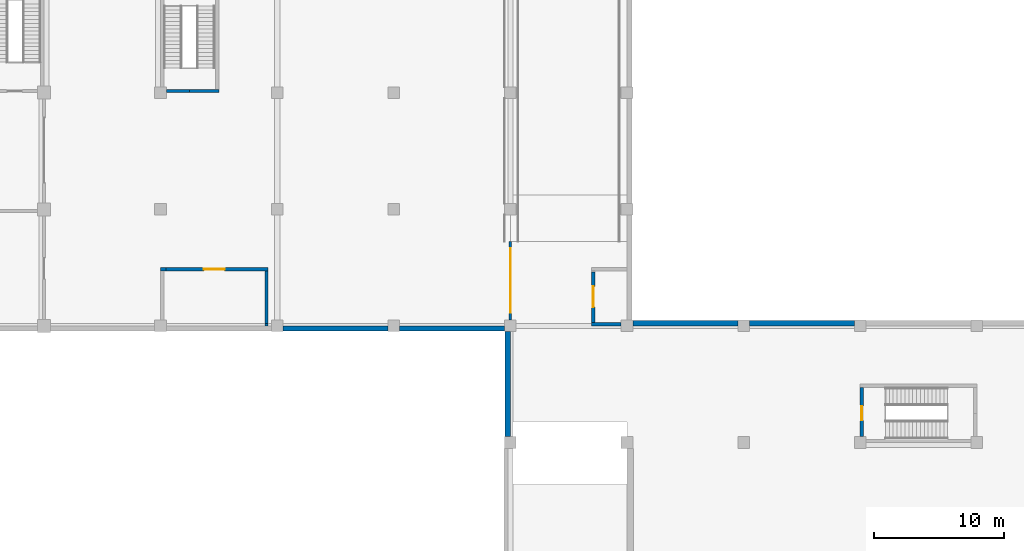
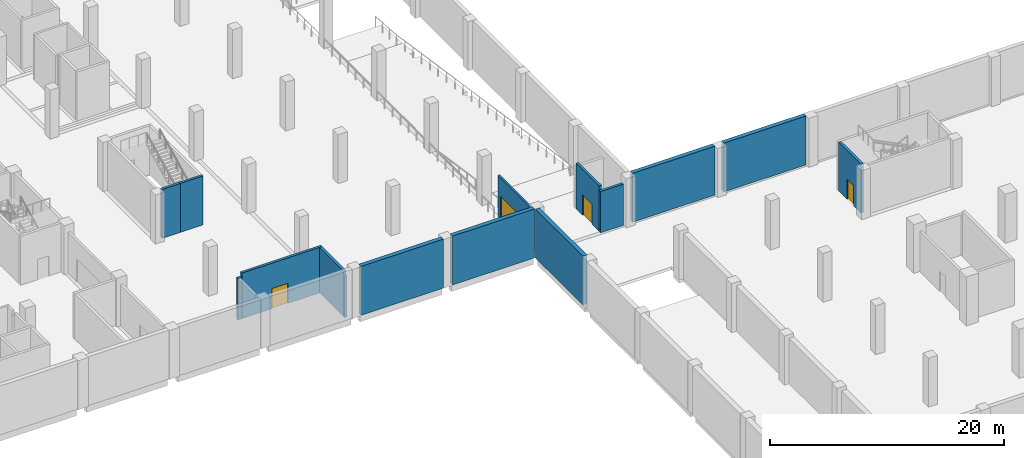
# One storey, part 5 of 16: 15 walls, 4 doors, 4 openings.
"""IFC4 building model written with IfcOpenShell, lengths in metres."""

from ifc_helpers import new_model, si_unit, direction, frame, frame_2d, origin, place, context, subcontext, project, spatial, rectangle, extrude, material, layer, layer_set, type_object, element, fill, save


model = new_model("IFC4")

# Units and contexts
model_context = context("Model", 3, precision=1e-05, world=origin(), true_north=direction((0.0, 1.0)))
body_context = subcontext(model_context, "Body", "Model", "MODEL_VIEW")
ifc_project = project(units=[si_unit("LENGTHUNIT", "METRE"), si_unit("AREAUNIT", "SQUARE_METRE"), si_unit("VOLUMEUNIT", "CUBIC_METRE"), si_unit("PLANEANGLEUNIT", "RADIAN"), si_unit("MASSUNIT", "GRAM", prefix="KILO")], contexts=[model_context])

# Site, building, storey
site_placement = place(None, origin())
site = spatial("IfcSite", under=ifc_project, at=site_placement, CompositionType="ELEMENT")
building_placement = place(site_placement, origin())
building = spatial("IfcBuilding", under=site, at=building_placement, Name="Guidao Yard Department Store", CompositionType="ELEMENT")
storey_placement = place(building_placement, frame((0.0, 0.0, -5.10009765625)))
storey = spatial("IfcBuildingStorey", under=building, at=storey_placement, Name="B1", CompositionType="ELEMENT", Elevation=-5.10009765625)

# Wall, opening, door
ifc_material_1 = material(Name="Autoclaved aerated concrete block A3.5 B06", Category="concrete")
ifc_layer_1 = layer(ifc_material_1, 0.199951171875)
ifc_layer_set_1 = layer_set([ifc_layer_1], Name="Compartment Fire Wall 200 Autoclaved Block EI 180")
wall_type_1 = type_object("IfcWallType", Name="Compartment Fire Wall 200 Autoclaved Block EI 180", PredefinedType="PARTITIONING", material=ifc_layer_set_1)
wall_1_placement = place(storey_placement, frame((99.0, 45.449951171875, 0.0), z_axis=(0.0, 0.0, 1.0), x_axis=(0.0, 1.0, 0.0)))
wall_1 = element("IfcWall", 1, at=wall_1_placement, inside=storey, type_object=wall_type_1, Name="pt.wall.B1.0060", PredefinedType="PARTITIONING", context=body_context, shape_type="SweptSolid", body=[
    extrude(rectangle(XDim=6.050048828125, YDim=0.199951171875, at=frame_2d((3.02490234375, 0.0))), origin(), (0.0, 0.0, 1.0), 4.300048828125),
])
opening_1_placement = place(wall_1_placement, frame((0.550048828125, 0.0, 0.0)))
opening_1 = element("IfcOpeningElement", 2, at=opening_1_placement, cuts=wall_1, Name="Opening B1-428", PredefinedType="OPENING", context=body_context, shape_type="SweptSolid", body=[
    extrude(rectangle(XDim=5.0, YDim=2.39990234375, at=frame_2d((2.5, 1.199951171875))), frame((0.0, 0.10986328125, 0.0), z_axis=(0.0, -1.0, 0.0), x_axis=(1.0, 0.0, 0.0)), (0.0, 0.0, 1.0), 0.219970703125),
])
ifc_material_2 = material(Name="Steel Q235", Category="steel")
door_type_1 = type_object("IfcDoorType", Name="Fire Shutter 5000 x 2400 FD90", OperationType="ROLLINGUP", PredefinedType="DOOR", material=ifc_material_2)
door_1_placement = place(opening_1_placement, origin())
door_1 = element("IfcDoor", 3, at=door_1_placement, inside=storey, type_object=door_type_1, Name="Door B1-428", OperationType="SINGLE_SWING_LEFT", OverallHeight=2.39990234375, OverallWidth=5.0, PredefinedType="DOOR", context=body_context, shape_type="SweptSolid", body=[
    extrude(rectangle(XDim=5.0, YDim=2.39990234375, at=frame_2d((2.5, 1.199951171875))), frame((0.0, 0.02490234375, 0.0), z_axis=(0.0, -1.0, 0.0), x_axis=(1.0, 0.0, 0.0)), (0.0, 0.0, 1.0), 0.050048828125),
])
fill(opening_1, door_1)

# Walls
ifc_material_3 = material(Name="Concrete C40", Category="concrete")
ifc_layer_2 = layer(ifc_material_3, 0.39990234375)
ifc_layer_set_2 = layer_set([ifc_layer_2], Name="Retaining wall 400 C40")
wall_type_2 = type_object("IfcWallType", Name="Retaining wall 400 C40", PredefinedType="SOLIDWALL", material=ifc_layer_set_2)
for number, where, z_axis, x_axis, name in (
    (4, (98.800048828125, 36.449951171875, 0.0), (0.0, 0.0, 1.0), (0.0, 1.0, 0.0), "Retaining wall B1-016"),
    (5, (81.449951171875, 44.800048828125, 0.0), (0.0, 0.0, 1.0), (1.0, 0.0, 0.0), "Retaining wall B1-027"),
    (6, (90.449951171875, 44.800048828125, 0.0), (0.0, 0.0, 1.0), (1.0, 0.0, 0.0), "Retaining wall B1-028"),
    (7, (108.449951171875, 45.199951171875, 0.0), (0.0, 0.0, 1.0), (1.0, 0.0, 0.0), "Retaining wall B1-029"),
    (8, (117.449951171875, 45.199951171875, 0.0), (0.0, 0.0, 1.0), (1.0, 0.0, 0.0), "Retaining wall B1-030"),
):
    element("IfcWall", number, at=place(storey_placement, frame(where, z_axis=z_axis, x_axis=x_axis)), inside=storey, type_object=wall_type_2, Name=name, PredefinedType="SOLIDWALL", context=body_context, shape_type="SweptSolid", body=[
        extrude(rectangle(XDim=8.10009765625, YDim=0.39990234375, at=frame_2d((4.050048828125, 0.0))), origin(), (0.0, 0.0, 1.0), 5.10009765625),
    ])
ifc_material_4 = material(Name="Concrete C40", Category="concrete")
ifc_layer_3 = layer(ifc_material_4, 0.25)
ifc_layer_set_3 = layer_set([ifc_layer_3], Name="Support Wall 250 Concrete C40")
wall_type_3 = type_object("IfcWallType", Name="Support Wall 250 Concrete C40", PredefinedType="SOLIDWALL", material=ifc_layer_set_3)
wall_2_placement = place(storey_placement, frame((105.27490234375, 45.125, 0.0), z_axis=(0.0, 0.0, 1.0), x_axis=(1.0, 0.0, 0.0)))
element("IfcWall", 9, at=wall_2_placement, inside=storey, type_object=wall_type_3, Name="pt.wall.B1.0008", PredefinedType="SOLIDWALL", context=body_context, shape_type="SweptSolid", body=[
    extrude(rectangle(XDim=2.275146484375, YDim=0.25, at=frame_2d((1.1376953125, 0.0))), origin(), (0.0, 0.0, 1.0), 4.300048828125),
])
wall_3_placement = place(storey_placement, frame((72.0, 49.375, 0.0), z_axis=(0.0, 0.0, 1.0), x_axis=(1.0, 0.0, 0.0)))
element("IfcWall", 10, at=wall_3_placement, inside=storey, type_object=wall_type_3, Name="pt.wall.B1.0009", PredefinedType="SOLIDWALL", context=body_context, shape_type="SweptSolid", body=[
    extrude(rectangle(XDim=0.39990234375, YDim=0.25, at=frame_2d((0.199951171875, 0.0))), origin(), (0.0, 0.0, 1.0), 4.300048828125),
])

# Wall, opening, door
wall_4_placement = place(storey_placement, frame((72.39990234375, 49.375, 0.0), z_axis=(0.0, 0.0, 1.0), x_axis=(1.0, 0.0, 0.0)))
wall_4 = element("IfcWall", 11, at=wall_4_placement, inside=storey, type_object=wall_type_3, Name="pt.wall.B1.0009a", PredefinedType="SOLIDWALL", context=body_context, shape_type="SweptSolid", body=[
    extrude(rectangle(XDim=7.900146484375, YDim=0.25, at=frame_2d((3.9501953125, 0.0))), origin(), (0.0, 0.0, 1.0), 4.75),
])
opening_2_placement = place(wall_4_placement, frame((4.550048828125, 0.0, 0.0), z_axis=(0.0, 0.0, 1.0), x_axis=(-1.0, 0.0, 0.0)))
opening_2 = element("IfcOpeningElement", 12, at=opening_2_placement, cuts=wall_4, Name="Opening B1-412", PredefinedType="OPENING", context=body_context, shape_type="SweptSolid", body=[
    extrude(rectangle(XDim=1.60009765625, YDim=2.10009765625, at=frame_2d((0.800048828125, 1.050048828125))), frame((0.0, 0.135009765625, 0.0), z_axis=(0.0, -1.0, 0.0), x_axis=(1.0, 0.0, 0.0)), (0.0, 0.0, 1.0), 0.27001953125),
])
ifc_material_5 = material(Name="Timber door leaf with Steel Q235 frame", Category="steel")
door_type_2 = type_object("IfcDoorType", Name="Door 1600 x 2100 FD60 Double Leaf", OperationType="DOUBLE_DOOR_SINGLE_SWING", PredefinedType="DOOR", material=ifc_material_5)
door_2_placement = place(opening_2_placement, origin())
door_2 = element("IfcDoor", 13, at=door_2_placement, inside=storey, type_object=door_type_2, Name="Door B1-412", OperationType="DOUBLE_DOOR_SINGLE_SWING", OverallHeight=2.10009765625, OverallWidth=1.60009765625, PredefinedType="DOOR", context=body_context, shape_type="SweptSolid", body=[
    extrude(rectangle(XDim=1.60009765625, YDim=2.10009765625, at=frame_2d((0.800048828125, 1.050048828125))), frame((0.0, 0.02490234375, 0.0), z_axis=(0.0, -1.0, 0.0), x_axis=(1.0, 0.0, 0.0)), (0.0, 0.0, 1.0), 0.050048828125),
])
fill(opening_2, door_2)

# Walls
wall_5_placement = place(storey_placement, frame((80.175048828125, 45.0, 0.0), z_axis=(0.0, 0.0, 1.0), x_axis=(0.0, 1.0, 0.0)))
element("IfcWall", 14, at=wall_5_placement, inside=storey, type_object=wall_type_3, Name="pt.wall.B1.0058", PredefinedType="SOLIDWALL", context=body_context, shape_type="SweptSolid", body=[
    extrude(rectangle(XDim=0.199951171875, YDim=0.25, at=frame_2d((0.10009765625, 0.0))), origin(), (0.0, 0.0, 1.0), 4.300048828125),
])
wall_6_placement = place(storey_placement, frame((80.175048828125, 45.199951171875, 0.0), z_axis=(0.0, 0.0, 1.0), x_axis=(0.0, 1.0, 0.0)))
element("IfcWall", 15, at=wall_6_placement, inside=storey, type_object=wall_type_3, Name="pt.wall.B1.0058a", PredefinedType="SOLIDWALL", context=body_context, shape_type="SweptSolid", body=[
    extrude(rectangle(XDim=4.050048828125, YDim=0.25, at=frame_2d((2.02490234375, 0.0))), origin(), (0.0, 0.0, 1.0), 4.75),
])

# Wall, opening, door
wall_7_placement = place(storey_placement, frame((105.39990234375, 45.25, 0.0), z_axis=(0.0, 0.0, 1.0), x_axis=(0.0, 1.0, 0.0)))
wall_7 = element("IfcWall", 16, at=wall_7_placement, inside=storey, type_object=wall_type_3, Name="pt.wall.B1.0067", PredefinedType="SOLIDWALL", context=body_context, shape_type="SweptSolid", body=[
    extrude(rectangle(XDim=3.925048828125, YDim=0.25, at=frame_2d((1.96240234375, 0.0))), origin(), (0.0, 0.0, 1.0), 4.75),
])
opening_3_placement = place(wall_7_placement, frame((2.800048828125, 0.0, 0.0), z_axis=(0.0, 0.0, 1.0), x_axis=(-1.0, 0.0, 0.0)))
opening_3 = element("IfcOpeningElement", 17, at=opening_3_placement, cuts=wall_7, Name="Opening B1-414", PredefinedType="OPENING", context=body_context, shape_type="SweptSolid", body=[
    extrude(rectangle(XDim=1.60009765625, YDim=2.10009765625, at=frame_2d((0.800048828125, 1.050048828125))), frame((0.0, 0.135009765625, 0.0), z_axis=(0.0, -1.0, 0.0), x_axis=(1.0, 0.0, 0.0)), (0.0, 0.0, 1.0), 0.27001953125),
])
door_3_placement = place(opening_3_placement, origin())
door_3 = element("IfcDoor", 18, at=door_3_placement, inside=storey, type_object=door_type_2, Name="Door B1-414", OperationType="DOUBLE_DOOR_SINGLE_SWING", OverallHeight=2.10009765625, OverallWidth=1.60009765625, PredefinedType="DOOR", context=body_context, shape_type="SweptSolid", body=[
    extrude(rectangle(XDim=1.60009765625, YDim=2.10009765625, at=frame_2d((0.800048828125, 1.050048828125))), frame((0.0, 0.02490234375, 0.0), z_axis=(0.0, -1.0, 0.0), x_axis=(1.0, 0.0, 0.0)), (0.0, 0.0, 1.0), 0.050048828125),
])
fill(opening_3, door_3)

# Walls
ifc_material_6 = material(Name="Concrete C40", Category="concrete")
ifc_layer_4 = layer(ifc_material_6, 0.25)
ifc_layer_set_4 = layer_set([ifc_layer_4], Name="Wall RC 250 C40 stair and shaft")
wall_type_4 = type_object("IfcWallType", Name="Wall RC 250 C40 stair and shaft", PredefinedType="SHEAR", material=ifc_layer_set_4)
wall_8_placement = place(storey_placement, frame((72.449951171875, 63.125, 0.0), z_axis=(0.0, 0.0, 1.0), x_axis=(1.0, 0.0, 0.0)))
element("IfcWall", 19, at=wall_8_placement, inside=storey, type_object=wall_type_4, Name="Stair wall BSG1", PredefinedType="SHEAR", context=body_context, shape_type="SweptSolid", body=[
    extrude(rectangle(XDim=1.800048828125, YDim=0.25, at=frame_2d((0.89990234375, 0.0))), origin(), (0.0, 0.0, 1.0), 5.10009765625),
])
wall_9_placement = place(storey_placement, frame((74.25, 63.125, 0.0), z_axis=(0.0, 0.0, 1.0), x_axis=(1.0, 0.0, 0.0)))
element("IfcWall", 20, at=wall_9_placement, inside=storey, type_object=wall_type_4, Name="Stair wall BSG1", PredefinedType="SHEAR", context=body_context, shape_type="SweptSolid", body=[
    extrude(rectangle(XDim=2.25, YDim=0.25, at=frame_2d((1.125, 0.0))), origin(), (0.0, 0.0, 1.0), 5.10009765625),
])

# Wall, opening, door
wall_10_placement = place(storey_placement, frame((126.125, 36.449951171875, 0.0), z_axis=(0.0, 0.0, 1.0), x_axis=(0.0, 1.0, 0.0)))
wall_10 = element("IfcWall", 21, at=wall_10_placement, inside=storey, type_object=wall_type_4, Name="Stair wall BSY1", PredefinedType="SHEAR", context=body_context, shape_type="SweptSolid", body=[
    extrude(rectangle(XDim=3.800048828125, YDim=0.25, at=frame_2d((1.89990234375, 0.0))), origin(), (0.0, 0.0, 1.0), 5.10009765625),
])
opening_4_placement = place(wall_10_placement, frame((2.35009765625, 0.0, 0.0), z_axis=(0.0, 0.0, 1.0), x_axis=(-1.0, 0.0, 0.0)))
opening_4 = element("IfcOpeningElement", 22, at=opening_4_placement, cuts=wall_10, Name="Opening B1-806", PredefinedType="OPENING", context=body_context, shape_type="SweptSolid", body=[
    extrude(rectangle(XDim=1.10009765625, YDim=2.10009765625, at=frame_2d((0.550048828125, 1.050048828125))), frame((0.0, 0.135009765625, 0.0), z_axis=(0.0, -1.0, 0.0), x_axis=(1.0, 0.0, 0.0)), (0.0, 0.0, 1.0), 0.27001953125),
])
ifc_material_7 = material(Name="Steel Q235", Category="steel")
door_type_3 = type_object("IfcDoorType", Name="Door fire-resisting 1100 x 2100 FD60", OperationType="SINGLE_SWING_LEFT", PredefinedType="DOOR", material=ifc_material_7)
door_4_placement = place(opening_4_placement, origin())
door_4 = element("IfcDoor", 23, at=door_4_placement, inside=storey, type_object=door_type_3, Name="Basement stair Y1 door B1", OperationType="SINGLE_SWING_RIGHT", OverallHeight=2.10009765625, OverallWidth=1.10009765625, PredefinedType="DOOR", context=body_context, shape_type="SweptSolid", body=[
    extrude(rectangle(XDim=1.10009765625, YDim=2.10009765625, at=frame_2d((0.550048828125, 1.050048828125))), frame((0.0, 0.02490234375, 0.0), z_axis=(0.0, -1.0, 0.0), x_axis=(1.0, 0.0, 0.0)), (0.0, 0.0, 1.0), 0.050048828125),
])
fill(opening_4, door_4)

save(model, "model.ifc")
